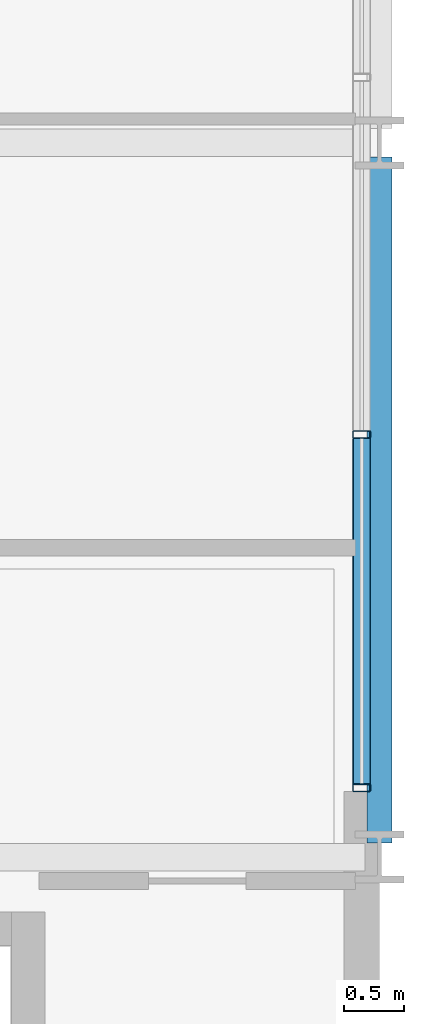
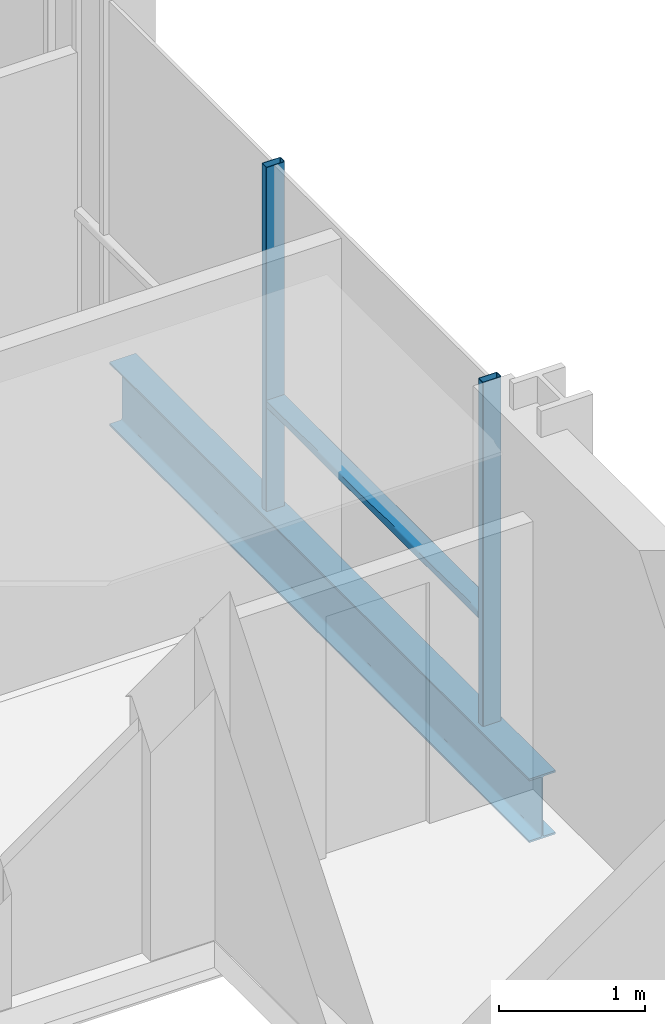
# One storey, part 15 of 41: 3 members, 1 beam, 1 element without a shape of its own.
"""IFC4 building model written with IfcOpenShell, lengths in metres."""

from ifc_helpers import new_model, si_unit, direction, frame, origin, origin_2d, place, context, subcontext, project, spatial, hollow_rectangle, i_section, extrude, material, layer, layer_set, material_profile, profile_set, type_object, element, aggregate, save


model = new_model("IFC4")

# Units and contexts
model_context = context("Model", 3, precision=1e-05, world=origin(), true_north=direction((0.0, 1.0)))
body_context = subcontext(model_context, "Body", "Model", "MODEL_VIEW")
ifc_project = project(units=[si_unit("LENGTHUNIT", "METRE"), si_unit("AREAUNIT", "SQUARE_METRE"), si_unit("VOLUMEUNIT", "CUBIC_METRE"), si_unit("PLANEANGLEUNIT", "RADIAN"), si_unit("MASSUNIT", "GRAM", prefix="KILO")], contexts=[model_context])

# Site, building, storey
site_placement = place(None, origin())
site = spatial("IfcSite", under=ifc_project, at=site_placement, CompositionType="ELEMENT")
building_placement = place(site_placement, origin())
building = spatial("IfcBuilding", under=site, at=building_placement, Name="Brevholm Reach", CompositionType="ELEMENT")
storey_placement = place(building_placement, frame((0.0, 0.0, 106.60009765625)))
storey = spatial("IfcBuildingStorey", under=building, at=storey_placement, Name="L31", CompositionType="ELEMENT", Elevation=106.60009765625)

# Beam
ifc_material_1 = material(Name="Structural Steel S355J2", Category="steel")
ifc_material_profile_1 = material_profile(ifc_material_1, i_section(OverallWidth=0.209228515625, OverallDepth=0.533203125, WebThickness=0.010009765625, FlangeThickness=0.015625, FilletRadius=0.0126953125, at=origin_2d()), Name="UKB 533x210x92")
ifc_profile_set_1 = profile_set([ifc_material_profile_1], Name="Structural Steel S355J2")
beam_type = type_object("IfcBeamType", Name="BM-SP533", PredefinedType="SPANDREL", material=ifc_profile_set_1)
beam_placement = place(storey_placement, frame((60.0, 10.1201171875, -0.486572265625), z_axis=(0.0, 1.0, 0.0), x_axis=(-1.0, 0.0, 0.0)))
element("IfcBeam", 1, at=beam_placement, inside=storey, type_object=beam_type, Name="L31 SP-02 Framing Beam", PredefinedType="SPANDREL", context=body_context, shape_type="SweptSolid", body=[
    extrude(i_section(OverallWidth=0.209228515625, OverallDepth=0.533203125, WebThickness=0.010009765625, FlangeThickness=0.015625, FilletRadius=0.0126953125, at=origin_2d()), origin(), (0.0, 0.0, 1.0), 5.759765625),
])

# Curtain wall, members
ifc_material_2 = material(Name="Dark Anodised Aluminium 6063-T6 and Solar-Control Glass", Category="aluminium")
ifc_layer = layer(ifc_material_2, 0.14990234375)
ifc_layer_set = layer_set([ifc_layer], Name="Dark Anodised Aluminium 6063-T6 and Solar-Control Glass")
curtain_wall_type = type_object("IfcCurtainWallType", Name="CW-01", PredefinedType="NOTDEFINED", material=ifc_layer_set)
curtain_wall_placement = place(storey_placement, origin())
curtain_wall = element("IfcCurtainWall", 2, at=curtain_wall_placement, inside=storey, type_object=curtain_wall_type, Name="L31 Curtain Wall CW-01", PredefinedType="NOTDEFINED")
ifc_material_3 = material(Name="Dark Anodised Aluminium 6063-T6", Category="aluminium")
ifc_material_profile_2 = material_profile(ifc_material_3, hollow_rectangle(XDim=0.06494140625, YDim=0.14990234375, WallThickness=0.0048828125, InnerFilletRadius=0.0048828125, OuterFilletRadius=0.010009765625, at=origin_2d()), Name="RHS 150x65x5")
ifc_profile_set_2 = profile_set([ifc_material_profile_2], Name="Dark Anodised Aluminium 6063-T6")
member_type_1 = type_object("IfcMemberType", Name="CWM-150", PredefinedType="MULLION", material=ifc_profile_set_2)
member_1_placement = place(storey_placement, frame((59.85009765625, 10.58251953125, 0.0), z_axis=(0.0, 0.0, 1.0), x_axis=(0.0, 1.0, 0.0)))
member_1 = element("IfcMember", 3, at=member_1_placement, type_object=member_type_1, Name="CM-150 Mullion 1", PredefinedType="MULLION", context=body_context, shape_type="SweptSolid", body=[
    extrude(hollow_rectangle(XDim=0.06494140625, YDim=0.14990234375, WallThickness=0.0048828125, InnerFilletRadius=0.0048828125, OuterFilletRadius=0.010009765625, at=origin_2d()), origin(), (0.0, 0.0, 1.0), 2.8798828125),
])
member_2_placement = place(storey_placement, frame((59.85009765625, 13.550048828125, 0.0), z_axis=(0.0, 0.0, 1.0), x_axis=(0.0, 1.0, 0.0)))
member_2 = element("IfcMember", 4, at=member_2_placement, type_object=member_type_1, Name="CM-150 Mullion 2", PredefinedType="MULLION", context=body_context, shape_type="SweptSolid", body=[
    extrude(hollow_rectangle(XDim=0.06494140625, YDim=0.14990234375, WallThickness=0.0048828125, InnerFilletRadius=0.0048828125, OuterFilletRadius=0.010009765625, at=origin_2d()), origin(), (0.0, 0.0, 1.0), 2.8798828125),
])
ifc_material_4 = material(Name="Dark Anodised Aluminium 6063-T6", Category="aluminium")
ifc_material_profile_3 = material_profile(ifc_material_4, hollow_rectangle(XDim=0.06494140625, YDim=0.14990234375, WallThickness=0.0048828125, InnerFilletRadius=0.0048828125, OuterFilletRadius=0.010009765625, at=origin_2d()), Name="RHS 150x65x5")
ifc_profile_set_3 = profile_set([ifc_material_profile_3], Name="Dark Anodised Aluminium 6063-T6")
member_type_2 = type_object("IfcMemberType", Name="CWT-150", PredefinedType="NOTDEFINED", material=ifc_profile_set_3)
member_3_placement = place(storey_placement, frame((59.85009765625, 10.614990234375, 0.89990234375), z_axis=(0.0, 1.0, 0.0), x_axis=(0.0, 0.0, 1.0)))
member_3 = element("IfcMember", 5, at=member_3_placement, type_object=member_type_2, Name="CT-150 Transom 1.1", ObjectType="TRANSOM", PredefinedType="USERDEFINED", context=body_context, shape_type="SweptSolid", body=[
    extrude(hollow_rectangle(XDim=0.06494140625, YDim=0.14990234375, WallThickness=0.0048828125, InnerFilletRadius=0.0048828125, OuterFilletRadius=0.010009765625, at=origin_2d()), origin(), (0.0, 0.0, 1.0), 2.902587890625),
])
aggregate(curtain_wall, [member_1, member_2, member_3])

save(model, "model.ifc")
